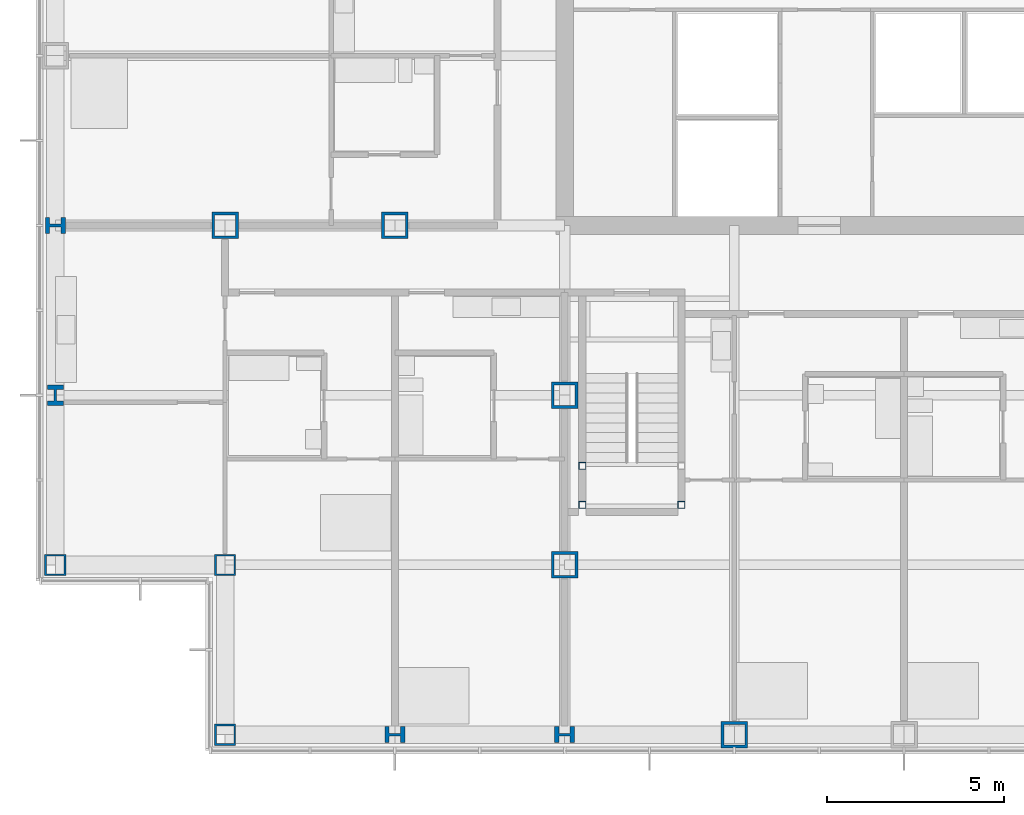
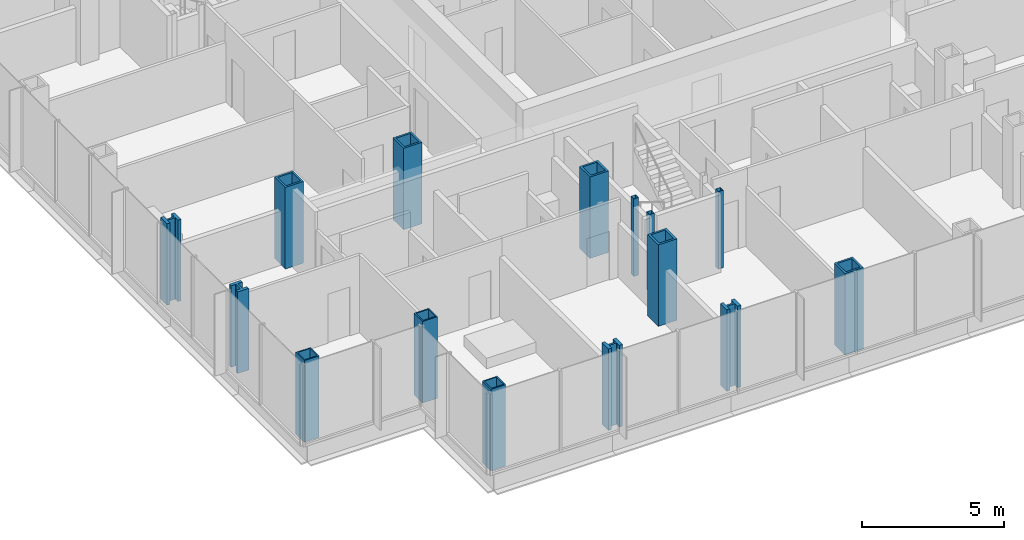
# One storey, part 1 of 21: 15 columns.
"""IFC4 building model written with IfcOpenShell, lengths in metres."""

from ifc_helpers import new_model, si_unit, direction, frame, origin, origin_2d, place, context, subcontext, project, spatial, hollow_rectangle, i_section, extrude, material, material_profile, profile_set, type_object, element, save


model = new_model("IFC4")

# Units and contexts
model_context = context("Model", 3, precision=1e-05, world=origin(), true_north=direction((0.0, 1.0)))
body_context = subcontext(model_context, "Body", "Model", "MODEL_VIEW")
ifc_project = project(units=[si_unit("LENGTHUNIT", "METRE"), si_unit("AREAUNIT", "SQUARE_METRE"), si_unit("VOLUMEUNIT", "CUBIC_METRE"), si_unit("PLANEANGLEUNIT", "RADIAN"), si_unit("MASSUNIT", "GRAM", prefix="KILO")], contexts=[model_context])

# Site, building, storey
site_placement = place(None, origin())
site = spatial("IfcSite", under=ifc_project, at=site_placement, CompositionType="ELEMENT")
building_placement = place(site_placement, origin())
building = spatial("IfcBuilding", under=site, at=building_placement, Name="Kvirike Care Tower", CompositionType="ELEMENT")
storey_placement = place(building_placement, frame((0.0, 0.0, 44.5)))
storey = spatial("IfcBuildingStorey", under=building, at=storey_placement, Name="L11", CompositionType="ELEMENT", Elevation=44.5)

# Columns
ifc_material_1 = material(Name="Steel S460", Category="steel")
ifc_material_profile_1 = material_profile(ifc_material_1, hollow_rectangle(XDim=0.60009765625, YDim=0.60009765625, WallThickness=0.050048828125, at=origin_2d()), Name="BX 600x600x50")
ifc_profile_set_1 = profile_set([ifc_material_profile_1], Name="Steel S460")
column_type_1 = type_object("IfcColumnType", Name="COLUMN BX 600x600x50", PredefinedType="COLUMN", material=ifc_profile_set_1)
for number, where, z_axis, x_axis, name in (
    (1, (0.0, 19.199951171875, 0.0), (0.0, 0.0, 1.0), (0.0, 1.0, 0.0), "Column E3 L11"),
    (2, (4.800048828125, 14.39990234375, 0.0), (0.0, 0.0, 1.0), (0.0, 1.0, 0.0), "Column D4 L11"),
    (3, (4.800048828125, 19.199951171875, 0.0), (0.0, 0.0, 1.0), (0.0, 1.0, 0.0), "Column E4 L11"),
):
    element("IfcColumn", number, at=place(storey_placement, frame(where, z_axis=z_axis, x_axis=x_axis)), inside=storey, type_object=column_type_1, Name=name, PredefinedType="COLUMN", context=body_context, shape_type="SweptSolid", body=[
        extrude(hollow_rectangle(XDim=0.60009765625, YDim=0.60009765625, WallThickness=0.050048828125, at=origin_2d()), origin(), (0.0, 0.0, 1.0), 3.5),
    ])
ifc_material_2 = material(Name="Steel S460", Category="steel")
ifc_material_profile_2 = material_profile(ifc_material_2, hollow_rectangle(XDim=0.75, YDim=0.75, WallThickness=0.080078125, at=origin_2d()), Name="BX 750x750x80")
ifc_profile_set_2 = profile_set([ifc_material_profile_2], Name="Steel S460")
column_type_2 = type_object("IfcColumnType", Name="COLUMN BX 750x750x80", PredefinedType="COLUMN", material=ifc_profile_set_2)
for number, where, z_axis, x_axis, name in (
    (4, (4.800048828125, 28.800048828125, 0.0), (0.0, 0.0, 1.0), (0.0, 1.0, 0.0), "Column G4 L11"),
    (5, (9.60009765625, 28.800048828125, 0.0), (0.0, 0.0, 1.0), (0.0, 1.0, 0.0), "Column G5 L11"),
    (6, (14.39990234375, 19.199951171875, 0.0), (0.0, 0.0, 1.0), (1.0, 0.0, 0.0), "Column E6 L11"),
    (7, (14.39990234375, 24.0, 0.0), (0.0, 0.0, 1.0), (1.0, 0.0, 0.0), "Column F6 L11"),
    (8, (19.199951171875, 14.39990234375, 0.0), (0.0, 0.0, 1.0), (0.0, 1.0, 0.0), "Column D7 L11"),
):
    element("IfcColumn", number, at=place(storey_placement, frame(where, z_axis=z_axis, x_axis=x_axis)), inside=storey, type_object=column_type_2, Name=name, PredefinedType="COLUMN", context=body_context, shape_type="SweptSolid", body=[
        extrude(hollow_rectangle(XDim=0.75, YDim=0.75, WallThickness=0.080078125, at=origin_2d()), origin(), (0.0, 0.0, 1.0), 3.5),
    ])
ifc_material_3 = material(Name="Steel S460", Category="steel")
ifc_material_profile_3 = material_profile(ifc_material_3, i_section(OverallWidth=0.4541015625, OverallDepth=0.569091796875, WebThickness=0.077880859375, FlangeThickness=0.125, FilletRadius=0.014892578125, at=origin_2d()), Name="HD 400x1086")
ifc_profile_set_3 = profile_set([ifc_material_profile_3], Name="Steel S460")
column_type_3 = type_object("IfcColumnType", Name="COLUMN HD 400x1086", PredefinedType="COLUMN", material=ifc_profile_set_3)
for number, where, z_axis, x_axis, name in (
    (9, (0.0, 24.0, 0.0), (0.0, 0.0, 1.0), (1.0, 0.0, 0.0), "Column F3 L11"),
    (10, (0.0, 28.800048828125, 0.0), (0.0, 0.0, 1.0), (0.0, 1.0, 0.0), "Column G3 L11"),
    (11, (9.60009765625, 14.39990234375, 0.0), (0.0, 0.0, 1.0), (0.0, 1.0, 0.0), "Column D5 L11"),
    (12, (14.39990234375, 14.39990234375, 0.0), (0.0, 0.0, 1.0), (0.0, 1.0, 0.0), "Column D6 L11"),
):
    element("IfcColumn", number, at=place(storey_placement, frame(where, z_axis=z_axis, x_axis=x_axis)), inside=storey, type_object=column_type_3, Name=name, PredefinedType="COLUMN", context=body_context, shape_type="SweptSolid", body=[
        extrude(i_section(OverallWidth=0.4541015625, OverallDepth=0.569091796875, WebThickness=0.077880859375, FlangeThickness=0.125, FilletRadius=0.014892578125, at=origin_2d()), origin(), (0.0, 0.0, 1.0), 3.5),
    ])
ifc_material_4 = material(Name="Steel S460", Category="steel")
ifc_material_profile_4 = material_profile(ifc_material_4, hollow_rectangle(XDim=0.199951171875, YDim=0.199951171875, WallThickness=0.008056640625, at=origin_2d()), Name="SHS 200x200x8")
ifc_profile_set_4 = profile_set([ifc_material_profile_4], Name="Steel S460")
column_type_4 = type_object("IfcColumnType", Name="STAIR POST SHS 200x200x8", PredefinedType="COLUMN", material=ifc_profile_set_4)
for number, where, z_axis, x_axis, name in (
    (13, (14.89990234375, 20.89990234375, 0.0), (0.0, 0.0, 1.0), (1.0, 0.0, 0.0), "Stair 5 post 1 L11"),
    (14, (17.699951171875, 20.89990234375, 0.0), (0.0, 0.0, 1.0), (1.0, 0.0, 0.0), "Stair 5 post 2 L11"),
    (15, (14.89990234375, 22.0, 0.0), (0.0, 0.0, 1.0), (1.0, 0.0, 0.0), "Stair 5 post 3 L11"),
):
    element("IfcColumn", number, at=place(storey_placement, frame(where, z_axis=z_axis, x_axis=x_axis)), inside=storey, type_object=column_type_4, Name=name, PredefinedType="COLUMN", context=body_context, shape_type="SweptSolid", body=[
        extrude(hollow_rectangle(XDim=0.199951171875, YDim=0.199951171875, WallThickness=0.008056640625, at=origin_2d()), origin(), (0.0, 0.0, 1.0), 3.330078125),
    ])

save(model, "model.ifc")
